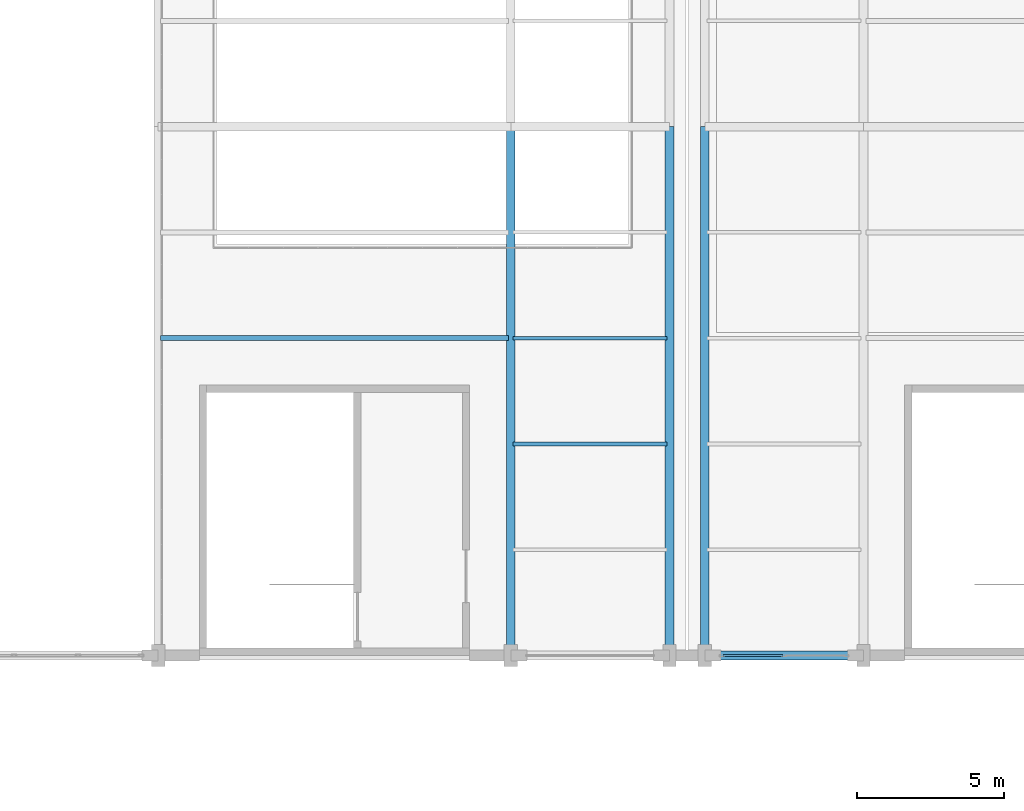
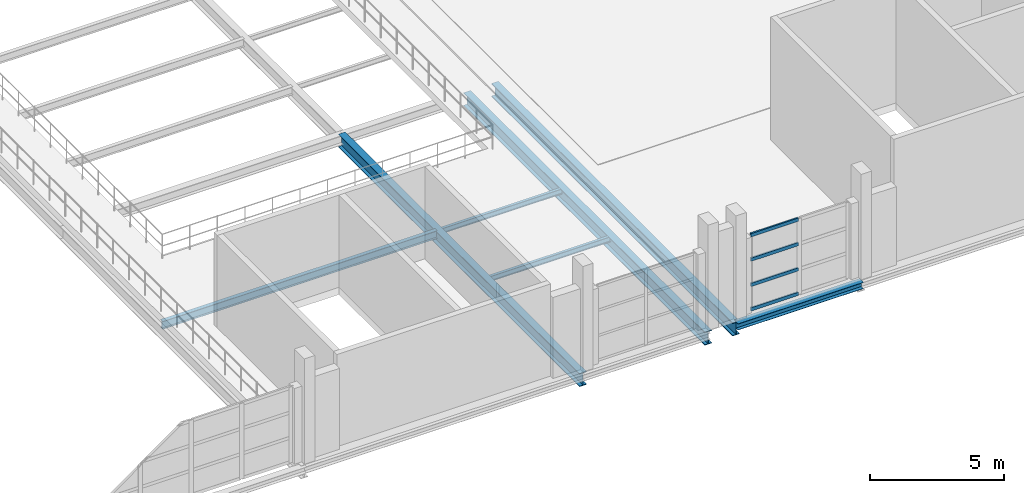
# One storey, part 32 of 86: 7 beams, 4 members, 1 element without a shape of its own.
"""IFC4 building model written with IfcOpenShell, lengths in metres."""

import ifcopenshell
import ifcopenshell.guid

model = None  # the IFC model being written
_history = None  # IfcOwnerHistory: only IFC2X3 demands one
_inside = {}  # id of a spatial element -> (the spatial element, [elements in it])
_under = {}  # id of a project, library or spatial element -> (it, [spatial elements below it])
_declared = {}  # id of a project -> (the project, [libraries it declares])
_typed = {}  # id of a type object -> (the type object, [elements of that type])
_made_of = {}  # id of a material, layer set ... -> (it, [elements and type objects made of it])


def new_model(schema):
    """Start an empty IFC model of exactly this schema.

    Asked for "IFC4X3", IfcOpenShell would pick the latest addendum, in which some entities
    have other attributes; the version numbers below select the first issue.
    IFC2X3 requires an IfcOwnerHistory on every rooted entity: one is made here for all.
    """
    global model, _history
    if schema == "IFC4X3":
        model = ifcopenshell.file(schema_version=(4, 3, 0, 0))
    else:
        model = ifcopenshell.file(schema=schema)
    _inside.clear()
    _under.clear()
    _declared.clear()
    _typed.clear()
    _made_of.clear()
    _history = None
    if model.schema == "IFC2X3":
        org = make("IfcOrganization", Name="unknown")
        user = make(
            "IfcPersonAndOrganization",
            ThePerson=make("IfcPerson", FamilyName="unknown"),
            TheOrganization=org,
        )
        app = make(
            "IfcApplication",
            ApplicationDeveloper=org,
            Version="unknown",
            ApplicationFullName="unknown",
            ApplicationIdentifier="unknown",
        )
        _history = make(
            "IfcOwnerHistory",
            OwningUser=user,
            OwningApplication=app,
            ChangeAction="ADDED",
            CreationDate=0,
        )
    return model


def make(cls, **values):
    """One entity of the class cls with the attributes given. An attribute that is None is left unset."""
    return model.create_entity(
        cls, **{name: value for name, value in values.items() if value is not None}
    )


def rooted(cls, **values):
    """An entity with a GlobalId (a new one), such as an element, a storey or a relation."""
    return make(cls, GlobalId=ifcopenshell.guid.new(), OwnerHistory=_history, **values)


def si_unit(unit_type, name, prefix=None):
    """IfcSIUnit, for example si_unit("LENGTHUNIT", "METRE", prefix="MILLI")."""
    return make("IfcSIUnit", UnitType=unit_type, Prefix=prefix, Name=name)


def assignment(units):
    """IfcUnitAssignment: the units of a project."""
    return None if units is None else make("IfcUnitAssignment", Units=units)


def point(xyz):
    """IfcCartesianPoint."""
    return None if xyz is None else make("IfcCartesianPoint", Coordinates=xyz)


def direction(xyz):
    """IfcDirection."""
    return None if xyz is None else make("IfcDirection", DirectionRatios=xyz)


def frame(location, z_axis=None, x_axis=None):
    """IfcAxis2Placement3D, a coordinate frame: its origin and axes. An axis left out is left unset."""
    return make(
        "IfcAxis2Placement3D",
        Location=point(location),
        Axis=direction(z_axis),
        RefDirection=direction(x_axis),
    )


def frame_2d(location, x_axis=None):
    """IfcAxis2Placement2D, a coordinate frame in the plane: its origin and x axis."""
    return make(
        "IfcAxis2Placement2D", Location=point(location), RefDirection=direction(x_axis)
    )


def origin():
    """The frame at (0, 0, 0) with its axes left unset."""
    return frame((0.0, 0.0, 0.0))


def origin_2d():
    """The frame at (0, 0) in the plane with its x axis left unset."""
    return frame_2d((0.0, 0.0))


def place(relative_to, where):
    """IfcLocalPlacement: puts the frame where relative to a parent placement (None: the world)."""
    return make(
        "IfcLocalPlacement", PlacementRelTo=relative_to, RelativePlacement=where
    )


def context(
    kind, dimensions, precision=None, world=None, true_north=None, identifier=None
):
    """IfcGeometricRepresentationContext, for example the 3D "Model" context."""
    return make(
        "IfcGeometricRepresentationContext",
        ContextIdentifier=identifier,
        ContextType=kind,
        CoordinateSpaceDimension=dimensions,
        Precision=precision,
        WorldCoordinateSystem=world,
        TrueNorth=true_north,
    )


def subcontext(parent, identifier, kind, view, scale=None):
    """IfcGeometricRepresentationSubContext, for example "Body" below "Model"."""
    return make(
        "IfcGeometricRepresentationSubContext",
        ContextIdentifier=identifier,
        ContextType=kind,
        ParentContext=parent,
        TargetScale=scale,
        TargetView=view,
    )


def project(units=None, contexts=None):
    """IfcProject with its units and contexts."""
    return rooted(
        "IfcProject",
        Name="project",
        RepresentationContexts=contexts,
        UnitsInContext=assignment(units),
    )


def spatial(cls, under=None, at=None, **own):
    """A site, building, storey or space (cls), placed at a placement, below another one or the project."""
    s = rooted(cls, ObjectPlacement=at, **own)
    if under is not None:
        _under.setdefault(under.id(), (under, []))[1].append(s)
    return s


def profile(cls, at=None, kind="AREA", **sizes):
    """A parametric profile (cls). Its sizes go by their IFC names, for example OverallWidth=200.0."""
    return make(cls, ProfileType=kind, Position=at, **sizes)


def hollow_rectangle(**sizes):
    """IfcRectangleHollowProfileDef."""
    return profile("IfcRectangleHollowProfileDef", **sizes)


def i_section(**sizes):
    """IfcIShapeProfileDef."""
    return profile("IfcIShapeProfileDef", **sizes)


def extrude(swept, where, along, depth):
    """IfcExtrudedAreaSolid: the profile swept, set in the frame where, extruded along a direction by depth."""
    return make(
        "IfcExtrudedAreaSolid",
        SweptArea=swept,
        Position=where,
        ExtrudedDirection=direction(along),
        Depth=depth,
    )


def shape(context_of_items, identifier, shape_type, items):
    """IfcShapeRepresentation: the items that make up one representation, for example the "Body"."""
    return make(
        "IfcShapeRepresentation",
        ContextOfItems=context_of_items,
        RepresentationIdentifier=identifier,
        RepresentationType=shape_type,
        Items=items,
    )


def material(Name=None, Category=None):
    """IfcMaterial."""
    return make("IfcMaterial", Name=Name, Category=Category)


def layer(
    of_material, thickness, ventilated=None, Name=None, Category=None, Priority=None
):
    """IfcMaterialLayer: one layer of a wall or slab, of a material (None: an air gap)."""
    return make(
        "IfcMaterialLayer",
        Material=of_material,
        LayerThickness=thickness,
        IsVentilated=ventilated,
        Name=Name,
        Category=Category,
        Priority=Priority,
    )


def layer_set(layers, Name=None):
    """IfcMaterialLayerSet."""
    return make("IfcMaterialLayerSet", MaterialLayers=layers, LayerSetName=Name)


def material_profile(
    of_material, cross_section, Name=None, Category=None, Priority=None
):
    """IfcMaterialProfile: a cross section and its material."""
    return make(
        "IfcMaterialProfile",
        Name=Name,
        Material=of_material,
        Profile=cross_section,
        Priority=Priority,
        Category=Category,
    )


def profile_set(profiles, Name=None, composite=None):
    """IfcMaterialProfileSet."""
    return make(
        "IfcMaterialProfileSet",
        Name=Name,
        MaterialProfiles=profiles,
        CompositeProfile=composite,
    )


def made_of(thing, what):
    """Note that an element or type object is made of a material, layer set ...; save() writes the relation."""
    if what is not None:
        _made_of.setdefault(what.id(), (what, []))[1].append(thing)
    return thing


def type_object(cls, material=None, **own):
    """A type object (cls), such as IfcWallType, which elements share."""
    return made_of(rooted(cls, **own), material)


def element(
    cls,
    number,
    at=None,
    inside=None,
    cuts=None,
    type_object=None,
    material=None,
    context=None,
    identifier="Body",
    shape_type=None,
    held_by="IfcProductDefinitionShape",
    body=None,
    shapes=None,
    **own,
):
    """One element of the class cls, such as IfcWall. Its Tag is "e" and its number.

    at: its placement. inside: the storey or other place that contains it. cuts: it is an
    opening in that element (IfcRelVoidsElement). A single representation is given by context,
    identifier, shape_type and body (its items); several are given by shapes. held_by: the class
    of the entity that holds the representations. save() writes the other relations.
    """
    e = rooted(cls, Tag="e%d" % number, ObjectPlacement=at, **own)
    if body is not None:
        shapes = [shape(context, identifier, shape_type, body)]
    if shapes is not None:
        e.Representation = make(held_by, Representations=shapes)
    if inside is not None:
        _inside.setdefault(inside.id(), (inside, []))[1].append(e)
    if cuts is not None:
        rooted(
            "IfcRelVoidsElement", RelatingBuildingElement=cuts, RelatedOpeningElement=e
        )
    if type_object is not None:
        _typed.setdefault(type_object.id(), (type_object, []))[1].append(e)
    return made_of(e, material)


def aggregate(whole, parts):
    """IfcRelAggregates: a whole, such as a stair, and the parts it consists of."""
    return rooted("IfcRelAggregates", RelatingObject=whole, RelatedObjects=parts)


def save(model, path):
    """Write the relations noted so far, then the file.

    IfcRelAggregates (storeys below a building ...), IfcRelContainedInSpatialStructure (elements
    in a storey), IfcRelDefinesByType, IfcRelAssociatesMaterial and IfcRelDeclares: one each for
    every whole, place, type object, material and project.
    """
    for whole, parts in _under.values():
        aggregate(whole, parts)
    for where, things in _inside.values():
        rooted(
            "IfcRelContainedInSpatialStructure",
            RelatedElements=things,
            RelatingStructure=where,
        )
    for kind, things in _typed.values():
        rooted("IfcRelDefinesByType", RelatedObjects=things, RelatingType=kind)
    for what, things in _made_of.values():
        rooted("IfcRelAssociatesMaterial", RelatedObjects=things, RelatingMaterial=what)
    for by, libraries in _declared.values():
        rooted("IfcRelDeclares", RelatingContext=by, RelatedDefinitions=libraries)
    model.write(path)


model = new_model("IFC4")

# Units and contexts
model_context = context("Model", 3, precision=1e-05, world=origin(), true_north=direction((0.0, 1.0)))
body_context = subcontext(model_context, "Body", "Model", "MODEL_VIEW")
ifc_project = project(units=[si_unit("LENGTHUNIT", "METRE"), si_unit("AREAUNIT", "SQUARE_METRE"), si_unit("VOLUMEUNIT", "CUBIC_METRE"), si_unit("PLANEANGLEUNIT", "RADIAN"), si_unit("MASSUNIT", "GRAM", prefix="KILO")], contexts=[model_context])

# Site, building, storey
site_placement = place(None, origin())
site = spatial("IfcSite", under=ifc_project, at=site_placement, CompositionType="ELEMENT")
building_placement = place(site_placement, origin())
building = spatial("IfcBuilding", under=site, at=building_placement, Name="Zilviju Railside Exhibition Hall", CompositionType="ELEMENT")
storey_placement = place(building_placement, frame((0.0, 0.0, 12.60009765625)))
storey = spatial("IfcBuildingStorey", under=building, at=storey_placement, Name="L04", CompositionType="ELEMENT", Elevation=12.60009765625)

# Beams
ifc_material_1 = material(Name="Steel S355J2", Category="steel")
ifc_material_profile_1 = material_profile(ifc_material_1, i_section(OverallWidth=0.300048828125, OverallDepth=0.2900390625, WebThickness=0.008544921875, FlangeThickness=0.013916015625, at=origin_2d()), Name="HEA 300")
ifc_profile_set_1 = profile_set([ifc_material_profile_1], Name="Steel S355J2")
beam_type_1 = type_object("IfcBeamType", Name="BM-HEA300", PredefinedType="SPANDREL", material=ifc_profile_set_1)
beam_1_placement = place(storey_placement, frame((174.60009765625, 84.0, -0.47509765625), z_axis=(1.0, 0.0, 0.0), x_axis=(0.0, 1.0, 0.0)))
element("IfcBeam", 1, at=beam_1_placement, inside=storey, type_object=beam_type_1, Name="Primary Girder L04 Y=84.0 (174.6..180.0)", PredefinedType="SPANDREL", context=body_context, shape_type="SweptSolid", body=[
    extrude(i_section(OverallWidth=0.300048828125, OverallDepth=0.2900390625, WebThickness=0.008544921875, FlangeThickness=0.013916015625, at=origin_2d()), origin(), (0.0, 0.0, 1.0), 5.39990234375),
])
ifc_material_profile_2 = material_profile(ifc_material_1, i_section(OverallWidth=0.300048828125, OverallDepth=0.60009765625, WebThickness=0.015380859375, FlangeThickness=0.030029296875, at=origin_2d()), Name="HEB 600")
ifc_profile_set_2 = profile_set([ifc_material_profile_2], Name="Steel S355J2")
beam_type_2 = type_object("IfcBeamType", Name="BM-HEB600", PredefinedType="BEAM", material=ifc_profile_set_2)
for number, where, z_axis, x_axis, name in (
    (2, (168.0, 84.0, -0.630126953125), (0.0, 1.0, 0.0), (-1.0, 0.0, 0.0), "Transverse Girder L04 X=168.0 (84.0..102.0)"),
    (3, (173.39990234375, 84.0, -0.630126953125), (0.0, 1.0, 0.0), (-1.0, 0.0, 0.0), "Transverse Girder L04 X=173.4 (84.0..102.0)"),
    (4, (174.60009765625, 84.0, -0.630126953125), (0.0, 1.0, 0.0), (-1.0, 0.0, 0.0), "Transverse Girder L04 X=174.6 (84.0..102.0)"),
):
    element("IfcBeam", number, at=place(storey_placement, frame(where, z_axis=z_axis, x_axis=x_axis)), inside=storey, type_object=beam_type_2, Name=name, PredefinedType="BEAM", context=body_context, shape_type="SweptSolid", body=[
        extrude(i_section(OverallWidth=0.300048828125, OverallDepth=0.60009765625, WebThickness=0.015380859375, FlangeThickness=0.030029296875, at=origin_2d()), origin(), (0.0, 0.0, 1.0), 18.0),
    ])
ifc_material_profile_3 = material_profile(ifc_material_1, i_section(OverallWidth=0.1201171875, OverallDepth=0.239990234375, WebThickness=0.006103515625, FlangeThickness=0.009765625, at=origin_2d()), Name="IPE 240")
ifc_profile_set_3 = profile_set([ifc_material_profile_3], Name="Steel S355J2")
beam_type_3 = type_object("IfcBeamType", Name="BM-IPE240", PredefinedType="JOIST", material=ifc_profile_set_3)
for number, where, z_axis, x_axis, name in (
    (5, (168.080078125, 91.199951171875, -0.4501953125), (1.0, 0.0, 0.0), (0.0, 1.0, 0.0), "Composite Floor Joist L04 Y=91.20 (168.0..173.4)"),
    (6, (168.080078125, 94.800048828125, -0.4501953125), (1.0, 0.0, 0.0), (0.0, 1.0, 0.0), "Composite Floor Joist L04 Y=94.80 (168.0..173.4)"),
):
    element("IfcBeam", number, at=place(storey_placement, frame(where, z_axis=z_axis, x_axis=x_axis)), inside=storey, type_object=beam_type_3, Name=name, PredefinedType="JOIST", context=body_context, shape_type="SweptSolid", body=[
        extrude(i_section(OverallWidth=0.1201171875, OverallDepth=0.239990234375, WebThickness=0.006103515625, FlangeThickness=0.009765625, at=origin_2d()), origin(), (0.0, 0.0, 1.0), 5.239990234375),
    ])
ifc_material_profile_4 = material_profile(ifc_material_1, i_section(OverallWidth=0.169921875, OverallDepth=0.360107421875, WebThickness=0.008056640625, FlangeThickness=0.0126953125, at=origin_2d()), Name="IPE 360")
ifc_profile_set_4 = profile_set([ifc_material_profile_4], Name="Steel S355J2")
beam_type_4 = type_object("IfcBeamType", Name="BM-IPE360", PredefinedType="JOIST", material=ifc_profile_set_4)
beam_2_placement = place(storey_placement, frame((156.080078125, 94.800048828125, -0.510009765625), z_axis=(1.0, 0.0, 0.0), x_axis=(0.0, 1.0, 0.0)))
element("IfcBeam", 7, at=beam_2_placement, inside=storey, type_object=beam_type_4, Name="Composite Floor Joist L04 Y=94.80 (156.0..168.0)", PredefinedType="JOIST", context=body_context, shape_type="SweptSolid", body=[
    extrude(i_section(OverallWidth=0.169921875, OverallDepth=0.360107421875, WebThickness=0.008056640625, FlangeThickness=0.0126953125, at=origin_2d()), origin(), (0.0, 0.0, 1.0), 11.83984375),
])

# Curtain wall, members
ifc_material_2 = material(Name="Thermally broken aluminium-steel triple-glazed curtain wall", Category="steel")
ifc_layer = layer(ifc_material_2, 0.179931640625)
ifc_layer_set = layer_set([ifc_layer], Name="Thermally broken aluminium-steel triple-glazed curtain wall")
curtain_wall_type = type_object("IfcCurtainWallType", Name="CW-BAY-17", PredefinedType="USERDEFINED", material=ifc_layer_set)
curtain_wall_placement = place(storey_placement, origin())
curtain_wall = element("IfcCurtainWall", 8, at=curtain_wall_placement, inside=storey, type_object=curtain_wall_type, Name="North Hall Garden Court Curtain Wall L04 (175..180)", ObjectType="GLAZED CURTAIN WALL", PredefinedType="USERDEFINED")
ifc_material_3 = material(Name="Thermally broken anodized aluminium transom", Category="aluminium")
ifc_material_profile_5 = material_profile(ifc_material_3, hollow_rectangle(XDim=0.070068359375, YDim=0.14990234375, WallThickness=0.0048828125, at=origin_2d()), Name="TRANSOM 150x70x5")
ifc_profile_set_5 = profile_set([ifc_material_profile_5], Name="Thermally broken anodized aluminium transom")
member_type = type_object("IfcMemberType", Name="CWT-70x150", PredefinedType="USERDEFINED", material=ifc_profile_set_5)
member_1_placement = place(storey_placement, frame((177.264892578125, 84.0, 0.034912109375), z_axis=(-1.0, 0.0, 0.0), x_axis=(0.0, -1.0, 0.0)))
member_1 = element("IfcMember", 9, at=member_1_placement, type_object=member_type, Name="CW-17 transom 2.1", ObjectType="TRANSOM", PredefinedType="USERDEFINED", context=body_context, shape_type="SweptSolid", body=[
    extrude(hollow_rectangle(XDim=0.070068359375, YDim=0.14990234375, WallThickness=0.0048828125, at=origin_2d()), origin(), (0.0, 0.0, 1.0), 2.044921875),
])
member_2_placement = place(storey_placement, frame((177.264892578125, 84.0, 1.14990234375), z_axis=(-1.0, 0.0, 0.0), x_axis=(0.0, -1.0, 0.0)))
member_2 = element("IfcMember", 10, at=member_2_placement, type_object=member_type, Name="CW-17 transom 2.2", ObjectType="TRANSOM", PredefinedType="USERDEFINED", context=body_context, shape_type="SweptSolid", body=[
    extrude(hollow_rectangle(XDim=0.070068359375, YDim=0.14990234375, WallThickness=0.0048828125, at=origin_2d()), origin(), (0.0, 0.0, 1.0), 2.044921875),
])
member_3_placement = place(storey_placement, frame((177.264892578125, 84.0, 2.2998046875), z_axis=(-1.0, 0.0, 0.0), x_axis=(0.0, -1.0, 0.0)))
member_3 = element("IfcMember", 11, at=member_3_placement, type_object=member_type, Name="CW-17 transom 2.3", ObjectType="TRANSOM", PredefinedType="USERDEFINED", context=body_context, shape_type="SweptSolid", body=[
    extrude(hollow_rectangle(XDim=0.070068359375, YDim=0.14990234375, WallThickness=0.0048828125, at=origin_2d()), origin(), (0.0, 0.0, 1.0), 2.044921875),
])
member_4_placement = place(storey_placement, frame((177.264892578125, 84.0, 3.414794921875), z_axis=(-1.0, 0.0, 0.0), x_axis=(0.0, -1.0, 0.0)))
member_4 = element("IfcMember", 12, at=member_4_placement, type_object=member_type, Name="CW-17 transom 2.4", ObjectType="TRANSOM", PredefinedType="USERDEFINED", context=body_context, shape_type="SweptSolid", body=[
    extrude(hollow_rectangle(XDim=0.070068359375, YDim=0.14990234375, WallThickness=0.0048828125, at=origin_2d()), origin(), (0.0, 0.0, 1.0), 2.044921875),
])
aggregate(curtain_wall, [member_1, member_2, member_3, member_4])

save(model, "model.ifc")
